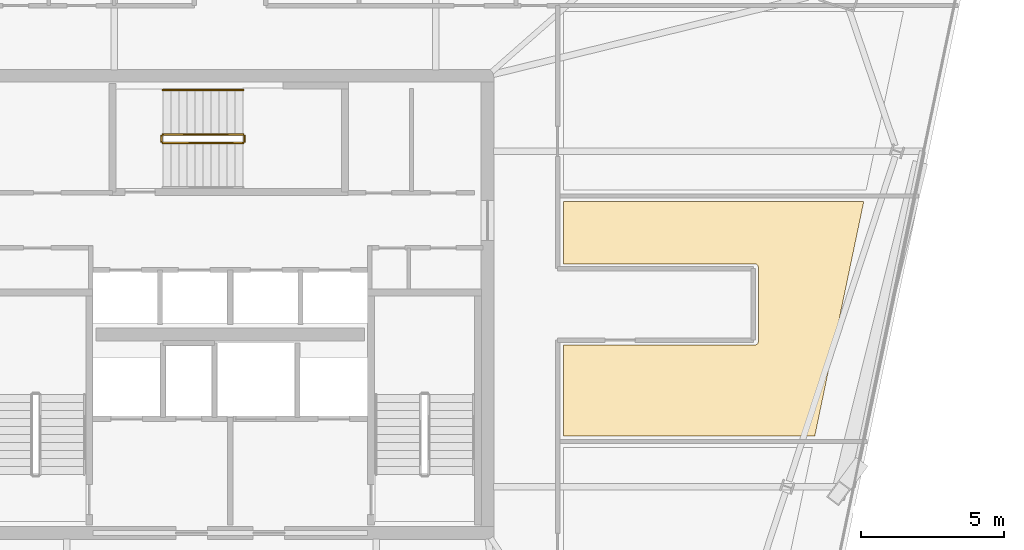
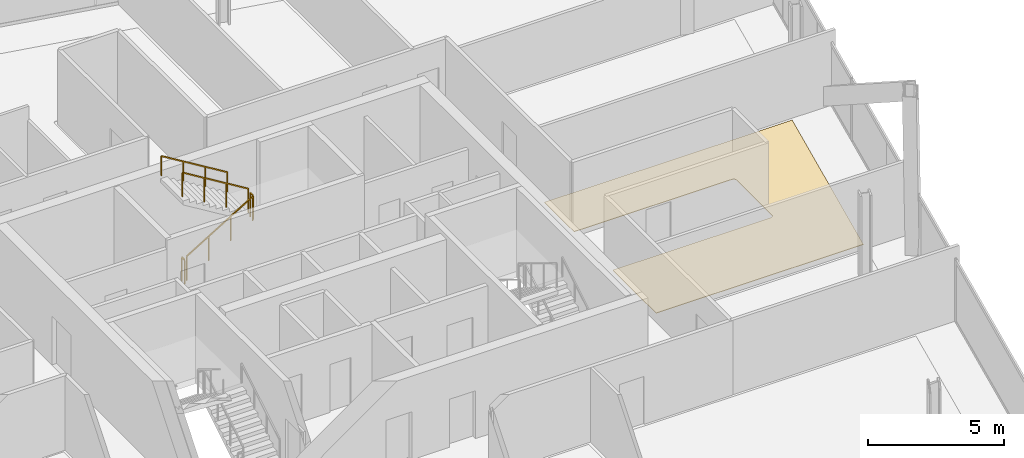
# One storey, part 23 of 24: 5 railings, 1 covering.
"""IFC4 building model written with IfcOpenShell, lengths in metres."""

import ifcopenshell
import ifcopenshell.guid

model = None  # the IFC model being written
_history = None  # IfcOwnerHistory: only IFC2X3 demands one
_inside = {}  # id of a spatial element -> (the spatial element, [elements in it])
_under = {}  # id of a project, library or spatial element -> (it, [spatial elements below it])
_declared = {}  # id of a project -> (the project, [libraries it declares])
_typed = {}  # id of a type object -> (the type object, [elements of that type])
_made_of = {}  # id of a material, layer set ... -> (it, [elements and type objects made of it])


def new_model(schema):
    """Start an empty IFC model of exactly this schema.

    Asked for "IFC4X3", IfcOpenShell would pick the latest addendum, in which some entities
    have other attributes; the version numbers below select the first issue.
    IFC2X3 requires an IfcOwnerHistory on every rooted entity: one is made here for all.
    """
    global model, _history
    if schema == "IFC4X3":
        model = ifcopenshell.file(schema_version=(4, 3, 0, 0))
    else:
        model = ifcopenshell.file(schema=schema)
    _inside.clear()
    _under.clear()
    _declared.clear()
    _typed.clear()
    _made_of.clear()
    _history = None
    if model.schema == "IFC2X3":
        org = make("IfcOrganization", Name="unknown")
        user = make(
            "IfcPersonAndOrganization",
            ThePerson=make("IfcPerson", FamilyName="unknown"),
            TheOrganization=org,
        )
        app = make(
            "IfcApplication",
            ApplicationDeveloper=org,
            Version="unknown",
            ApplicationFullName="unknown",
            ApplicationIdentifier="unknown",
        )
        _history = make(
            "IfcOwnerHistory",
            OwningUser=user,
            OwningApplication=app,
            ChangeAction="ADDED",
            CreationDate=0,
        )
    return model


def make(cls, **values):
    """One entity of the class cls with the attributes given. An attribute that is None is left unset."""
    return model.create_entity(
        cls, **{name: value for name, value in values.items() if value is not None}
    )


def rooted(cls, **values):
    """An entity with a GlobalId (a new one), such as an element, a storey or a relation."""
    return make(cls, GlobalId=ifcopenshell.guid.new(), OwnerHistory=_history, **values)


def si_unit(unit_type, name, prefix=None):
    """IfcSIUnit, for example si_unit("LENGTHUNIT", "METRE", prefix="MILLI")."""
    return make("IfcSIUnit", UnitType=unit_type, Prefix=prefix, Name=name)


def assignment(units):
    """IfcUnitAssignment: the units of a project."""
    return None if units is None else make("IfcUnitAssignment", Units=units)


def point(xyz):
    """IfcCartesianPoint."""
    return None if xyz is None else make("IfcCartesianPoint", Coordinates=xyz)


def direction(xyz):
    """IfcDirection."""
    return None if xyz is None else make("IfcDirection", DirectionRatios=xyz)


def frame(location, z_axis=None, x_axis=None):
    """IfcAxis2Placement3D, a coordinate frame: its origin and axes. An axis left out is left unset."""
    return make(
        "IfcAxis2Placement3D",
        Location=point(location),
        Axis=direction(z_axis),
        RefDirection=direction(x_axis),
    )


def frame_2d(location, x_axis=None):
    """IfcAxis2Placement2D, a coordinate frame in the plane: its origin and x axis."""
    return make(
        "IfcAxis2Placement2D", Location=point(location), RefDirection=direction(x_axis)
    )


def origin():
    """The frame at (0, 0, 0) with its axes left unset."""
    return frame((0.0, 0.0, 0.0))


def origin_2d():
    """The frame at (0, 0) in the plane with its x axis left unset."""
    return frame_2d((0.0, 0.0))


def place(relative_to, where):
    """IfcLocalPlacement: puts the frame where relative to a parent placement (None: the world)."""
    return make(
        "IfcLocalPlacement", PlacementRelTo=relative_to, RelativePlacement=where
    )


def context(
    kind, dimensions, precision=None, world=None, true_north=None, identifier=None
):
    """IfcGeometricRepresentationContext, for example the 3D "Model" context."""
    return make(
        "IfcGeometricRepresentationContext",
        ContextIdentifier=identifier,
        ContextType=kind,
        CoordinateSpaceDimension=dimensions,
        Precision=precision,
        WorldCoordinateSystem=world,
        TrueNorth=true_north,
    )


def subcontext(parent, identifier, kind, view, scale=None):
    """IfcGeometricRepresentationSubContext, for example "Body" below "Model"."""
    return make(
        "IfcGeometricRepresentationSubContext",
        ContextIdentifier=identifier,
        ContextType=kind,
        ParentContext=parent,
        TargetScale=scale,
        TargetView=view,
    )


def project(units=None, contexts=None):
    """IfcProject with its units and contexts."""
    return rooted(
        "IfcProject",
        Name="project",
        RepresentationContexts=contexts,
        UnitsInContext=assignment(units),
    )


def spatial(cls, under=None, at=None, **own):
    """A site, building, storey or space (cls), placed at a placement, below another one or the project."""
    s = rooted(cls, ObjectPlacement=at, **own)
    if under is not None:
        _under.setdefault(under.id(), (under, []))[1].append(s)
    return s


def polyline(points):
    """IfcPolyline through the points."""
    return make("IfcPolyline", Points=[point(p) for p in points])


def profile(cls, at=None, kind="AREA", **sizes):
    """A parametric profile (cls). Its sizes go by their IFC names, for example OverallWidth=200.0."""
    return make(cls, ProfileType=kind, Position=at, **sizes)


def rectangle(**sizes):
    """IfcRectangleProfileDef."""
    return profile("IfcRectangleProfileDef", **sizes)


def outline(outer, holes=None, kind="AREA"):
    """IfcArbitraryClosedProfileDef: a profile drawn as a closed curve; with holes, ...WithVoids."""
    if holes is None:
        return make("IfcArbitraryClosedProfileDef", ProfileType=kind, OuterCurve=outer)
    return make(
        "IfcArbitraryProfileDefWithVoids",
        ProfileType=kind,
        OuterCurve=outer,
        InnerCurves=holes,
    )


def extrude(swept, where, along, depth):
    """IfcExtrudedAreaSolid: the profile swept, set in the frame where, extruded along a direction by depth."""
    return make(
        "IfcExtrudedAreaSolid",
        SweptArea=swept,
        Position=where,
        ExtrudedDirection=direction(along),
        Depth=depth,
    )


def shape(context_of_items, identifier, shape_type, items):
    """IfcShapeRepresentation: the items that make up one representation, for example the "Body"."""
    return make(
        "IfcShapeRepresentation",
        ContextOfItems=context_of_items,
        RepresentationIdentifier=identifier,
        RepresentationType=shape_type,
        Items=items,
    )


def material(Name=None, Category=None):
    """IfcMaterial."""
    return make("IfcMaterial", Name=Name, Category=Category)


def layer(
    of_material, thickness, ventilated=None, Name=None, Category=None, Priority=None
):
    """IfcMaterialLayer: one layer of a wall or slab, of a material (None: an air gap)."""
    return make(
        "IfcMaterialLayer",
        Material=of_material,
        LayerThickness=thickness,
        IsVentilated=ventilated,
        Name=Name,
        Category=Category,
        Priority=Priority,
    )


def layer_set(layers, Name=None):
    """IfcMaterialLayerSet."""
    return make("IfcMaterialLayerSet", MaterialLayers=layers, LayerSetName=Name)


def made_of(thing, what):
    """Note that an element or type object is made of a material, layer set ...; save() writes the relation."""
    if what is not None:
        _made_of.setdefault(what.id(), (what, []))[1].append(thing)
    return thing


def type_object(cls, material=None, **own):
    """A type object (cls), such as IfcWallType, which elements share."""
    return made_of(rooted(cls, **own), material)


def element(
    cls,
    number,
    at=None,
    inside=None,
    cuts=None,
    type_object=None,
    material=None,
    context=None,
    identifier="Body",
    shape_type=None,
    held_by="IfcProductDefinitionShape",
    body=None,
    shapes=None,
    **own,
):
    """One element of the class cls, such as IfcWall. Its Tag is "e" and its number.

    at: its placement. inside: the storey or other place that contains it. cuts: it is an
    opening in that element (IfcRelVoidsElement). A single representation is given by context,
    identifier, shape_type and body (its items); several are given by shapes. held_by: the class
    of the entity that holds the representations. save() writes the other relations.
    """
    e = rooted(cls, Tag="e%d" % number, ObjectPlacement=at, **own)
    if body is not None:
        shapes = [shape(context, identifier, shape_type, body)]
    if shapes is not None:
        e.Representation = make(held_by, Representations=shapes)
    if inside is not None:
        _inside.setdefault(inside.id(), (inside, []))[1].append(e)
    if cuts is not None:
        rooted(
            "IfcRelVoidsElement", RelatingBuildingElement=cuts, RelatedOpeningElement=e
        )
    if type_object is not None:
        _typed.setdefault(type_object.id(), (type_object, []))[1].append(e)
    return made_of(e, material)


def aggregate(whole, parts):
    """IfcRelAggregates: a whole, such as a stair, and the parts it consists of."""
    return rooted("IfcRelAggregates", RelatingObject=whole, RelatedObjects=parts)


def save(model, path):
    """Write the relations noted so far, then the file.

    IfcRelAggregates (storeys below a building ...), IfcRelContainedInSpatialStructure (elements
    in a storey), IfcRelDefinesByType, IfcRelAssociatesMaterial and IfcRelDeclares: one each for
    every whole, place, type object, material and project.
    """
    for whole, parts in _under.values():
        aggregate(whole, parts)
    for where, things in _inside.values():
        rooted(
            "IfcRelContainedInSpatialStructure",
            RelatedElements=things,
            RelatingStructure=where,
        )
    for kind, things in _typed.values():
        rooted("IfcRelDefinesByType", RelatedObjects=things, RelatingType=kind)
    for what, things in _made_of.values():
        rooted("IfcRelAssociatesMaterial", RelatedObjects=things, RelatingMaterial=what)
    for by, libraries in _declared.values():
        rooted("IfcRelDeclares", RelatingContext=by, RelatedDefinitions=libraries)
    model.write(path)


model = new_model("IFC4")

# Units and contexts
model_context = context("Model", 3, precision=1e-05, world=origin(), true_north=direction((0.0, 1.0)))
body_context = subcontext(model_context, "Body", "Model", "MODEL_VIEW")
ifc_project = project(units=[si_unit("LENGTHUNIT", "METRE"), si_unit("AREAUNIT", "SQUARE_METRE"), si_unit("VOLUMEUNIT", "CUBIC_METRE"), si_unit("PLANEANGLEUNIT", "RADIAN"), si_unit("MASSUNIT", "GRAM", prefix="KILO")], contexts=[model_context])

# Site, building, storey
site_placement = place(None, origin())
site = spatial("IfcSite", under=ifc_project, at=site_placement, CompositionType="ELEMENT")
building_placement = place(site_placement, origin())
building = spatial("IfcBuilding", under=site, at=building_placement, Name="Haldenkirk Collegiate Tower", CompositionType="ELEMENT")
storey_placement = place(building_placement, frame((0.0, 0.0, 289.949951171875)))
storey = spatial("IfcBuildingStorey", under=building, at=storey_placement, Name="L73", CompositionType="ELEMENT", Elevation=289.949951171875)

# Covering
ifc_material_1 = material(Name="Engineered collegiate oak acoustic flooring", Category="wood")
ifc_layer = layer(ifc_material_1, 0.02197265625)
ifc_layer_set = layer_set([ifc_layer], Name="Engineered collegiate oak acoustic flooring")
covering_type = type_object("IfcCoveringType", Name="COV-FLOOR-TIMBER", PredefinedType="FLOORING", material=ifc_layer_set)
covering_placement = place(storey_placement, origin())
element("IfcCovering", 1, at=covering_placement, inside=storey, type_object=covering_type, Name="L73 academic room finish 09", PredefinedType="FLOORING", context=body_context, shape_type="SweptSolid", body=[
    extrude(outline(polyline([(54.35009765625, 24.580078125), (54.36181640625, 24.58056640625), (54.373291015625, 24.582275390625), (54.384765625, 24.585205078125), (54.39599609375, 24.589111328125), (54.406494140625, 24.59423828125), (54.416748046875, 24.60009765625), (54.426025390625, 24.607177734375), (54.434814453125, 24.614990234375), (54.44287109375, 24.623779296875), (54.44970703125, 24.63330078125), (54.455810546875, 24.643310546875), (54.4609375, 24.654052734375), (54.46484375, 24.665283203125), (54.4677734375, 24.676513671875), (54.469482421875, 24.688232421875), (54.469970703125, 24.699951171875), (54.469970703125, 27.300048828125), (54.469482421875, 27.311767578125), (54.4677734375, 27.323486328125), (54.46484375, 27.334716796875), (54.4609375, 27.345947265625), (54.455810546875, 27.356689453125), (54.44970703125, 27.36669921875), (54.44287109375, 27.376220703125), (54.434814453125, 27.385009765625), (54.426025390625, 27.392822265625), (54.416748046875, 27.39990234375), (54.406494140625, 27.40576171875), (54.39599609375, 27.410888671875), (54.384765625, 27.414794921875), (54.373291015625, 27.417724609375), (54.36181640625, 27.41943359375), (54.35009765625, 27.419921875), (47.64990234375, 27.419921875), (47.64990234375, 29.60009765625), (58.159423828125, 29.60009765625), (56.4462890625, 21.39990234375), (47.64990234375, 21.39990234375), (47.64990234375, 24.580078125), (54.35009765625, 24.580078125)])), origin(), (0.0, 0.0, 1.0), 0.02197265625),
])

# Railings
ifc_material_2 = material(Name="Painted architectural tubular steel", Category="steel")
railing_type_1 = type_object("IfcRailingType", Name="RLG-STAIR-GUARD-1100", PredefinedType="BALUSTRADE", material=ifc_material_2)
railing_1_placement = place(storey_placement, frame((33.64990234375, 31.64990234375, 0.17041015625)))
element("IfcRailing", 2, at=railing_1_placement, inside=storey, type_object=railing_type_1, Name="L73 ST-3 stair guard 1", PredefinedType="BALUSTRADE", context=body_context, shape_type="SweptSolid", body=[
    extrude(rectangle(XDim=0.048095703125, YDim=0.048095703125, at=origin_2d()), frame((0.0, 0.0, 1.076171875), z_axis=(0.854169791009, 0.0, 0.51999420009), x_axis=(0.0, 1.0, 0.0)), (0.0, 0.0, 1.0), 3.278076171875),
    extrude(rectangle(XDim=0.0419921875, YDim=0.0419921875, at=origin_2d()), origin(), (0.0, 0.0, 1.0), 1.052001953125),
    extrude(rectangle(XDim=0.0419921875, YDim=0.0419921875, at=origin_2d()), frame((0.933349609375, 0.0, 0.568115234375)), (0.0, 0.0, 1.0), 1.052001953125),
    extrude(rectangle(XDim=0.0419921875, YDim=0.0419921875, at=origin_2d()), frame((1.86669921875, 0.0, 1.136474609375)), (0.0, 0.0, 1.0), 1.052001953125),
    extrude(rectangle(XDim=0.0419921875, YDim=0.0419921875, at=origin_2d()), frame((2.800048828125, 0.0, 1.70458984375)), (0.0, 0.0, 1.0), 1.052001953125),
])
railing_2_placement = place(storey_placement, frame((36.5, 31.699951171875, 1.875)))
element("IfcRailing", 3, at=railing_2_placement, inside=storey, type_object=railing_type_1, Name="L73 ST-3 stair guard 2", PredefinedType="BALUSTRADE", context=body_context, shape_type="SweptSolid", body=[
    extrude(rectangle(XDim=0.048095703125, YDim=0.048095703125, at=origin_2d()), frame((0.0, 0.0, 1.076171875), z_axis=(0.0, 1.0, 0.0), x_axis=(-1.0, 0.0, 0.0)), (0.0, 0.0, 1.0), 0.199951171875),
    extrude(rectangle(XDim=0.0419921875, YDim=0.0419921875, at=origin_2d()), origin(), (0.0, 0.0, 1.0), 1.052001953125),
    extrude(rectangle(XDim=0.0419921875, YDim=0.0419921875, at=origin_2d()), frame((0.0, 0.199951171875, 0.0)), (0.0, 0.0, 1.0), 1.052001953125),
])
railing_3_placement = place(storey_placement, frame((36.449951171875, 31.949951171875, 2.04541015625)))
element("IfcRailing", 4, at=railing_3_placement, inside=storey, type_object=railing_type_1, Name="L73 ST-3 stair guard 3", PredefinedType="BALUSTRADE", context=body_context, shape_type="SweptSolid", body=[
    extrude(rectangle(XDim=0.048095703125, YDim=0.048095703125, at=origin_2d()), frame((0.0, 0.0, 1.076171875), z_axis=(-0.854169791009, 0.0, 0.51999420009), x_axis=(0.0, -1.0, 0.0)), (0.0, 0.0, 1.0), 3.278076171875),
    extrude(rectangle(XDim=0.0419921875, YDim=0.0419921875, at=origin_2d()), origin(), (0.0, 0.0, 1.0), 1.052001953125),
    extrude(rectangle(XDim=0.0419921875, YDim=0.0419921875, at=origin_2d()), frame((-0.933349609375, 0.0, 0.568115234375)), (0.0, 0.0, 1.0), 1.052001953125),
    extrude(rectangle(XDim=0.0419921875, YDim=0.0419921875, at=origin_2d()), frame((-1.86669921875, 0.0, 1.136474609375)), (0.0, 0.0, 1.0), 1.052001953125),
    extrude(rectangle(XDim=0.0419921875, YDim=0.0419921875, at=origin_2d()), frame((-2.800048828125, 0.0, 1.70458984375)), (0.0, 0.0, 1.0), 1.052001953125),
])
railing_4_placement = place(storey_placement, frame((33.60009765625, 31.699951171875, 0.0)))
element("IfcRailing", 5, at=railing_4_placement, inside=storey, type_object=railing_type_1, Name="L73 ST-3 stair guard 4", PredefinedType="BALUSTRADE", context=body_context, shape_type="SweptSolid", body=[
    extrude(rectangle(XDim=0.048095703125, YDim=0.048095703125, at=origin_2d()), frame((0.0, 0.0, 1.076171875), z_axis=(0.0, 1.0, 0.0), x_axis=(-1.0, 0.0, 0.0)), (0.0, 0.0, 1.0), 0.199951171875),
    extrude(rectangle(XDim=0.0419921875, YDim=0.0419921875, at=origin_2d()), origin(), (0.0, 0.0, 1.0), 1.052001953125),
    extrude(rectangle(XDim=0.0419921875, YDim=0.0419921875, at=origin_2d()), frame((0.0, 0.199951171875, 0.0)), (0.0, 0.0, 1.0), 1.052001953125),
])
railing_type_2 = type_object("IfcRailingType", Name="RLG-STAIR-HANDRAIL-900", PredefinedType="HANDRAIL", material=ifc_material_2)
railing_5_placement = place(storey_placement, frame((36.449951171875, 33.5, 2.04541015625)))
element("IfcRailing", 6, at=railing_5_placement, inside=storey, type_object=railing_type_2, Name="L73 ST-3 stair handrail 2", PredefinedType="HANDRAIL", context=body_context, shape_type="SweptSolid", body=[
    extrude(rectangle(XDim=0.048095703125, YDim=0.048095703125, at=origin_2d()), frame((0.0, 0.0, 0.8759765625), z_axis=(-0.854169791009, 0.0, 0.51999420009), x_axis=(0.0, -1.0, 0.0)), (0.0, 0.0, 1.0), 3.278076171875),
    extrude(rectangle(XDim=0.0419921875, YDim=0.0419921875, at=origin_2d()), origin(), (0.0, 0.0, 1.0), 0.851806640625),
    extrude(rectangle(XDim=0.0419921875, YDim=0.0419921875, at=origin_2d()), frame((-0.933349609375, 0.0, 0.568115234375)), (0.0, 0.0, 1.0), 0.851806640625),
    extrude(rectangle(XDim=0.0419921875, YDim=0.0419921875, at=origin_2d()), frame((-1.86669921875, 0.0, 1.136474609375)), (0.0, 0.0, 1.0), 0.851806640625),
    extrude(rectangle(XDim=0.0419921875, YDim=0.0419921875, at=origin_2d()), frame((-2.800048828125, 0.0, 1.70458984375)), (0.0, 0.0, 1.0), 0.851806640625),
])

save(model, "model.ifc")
